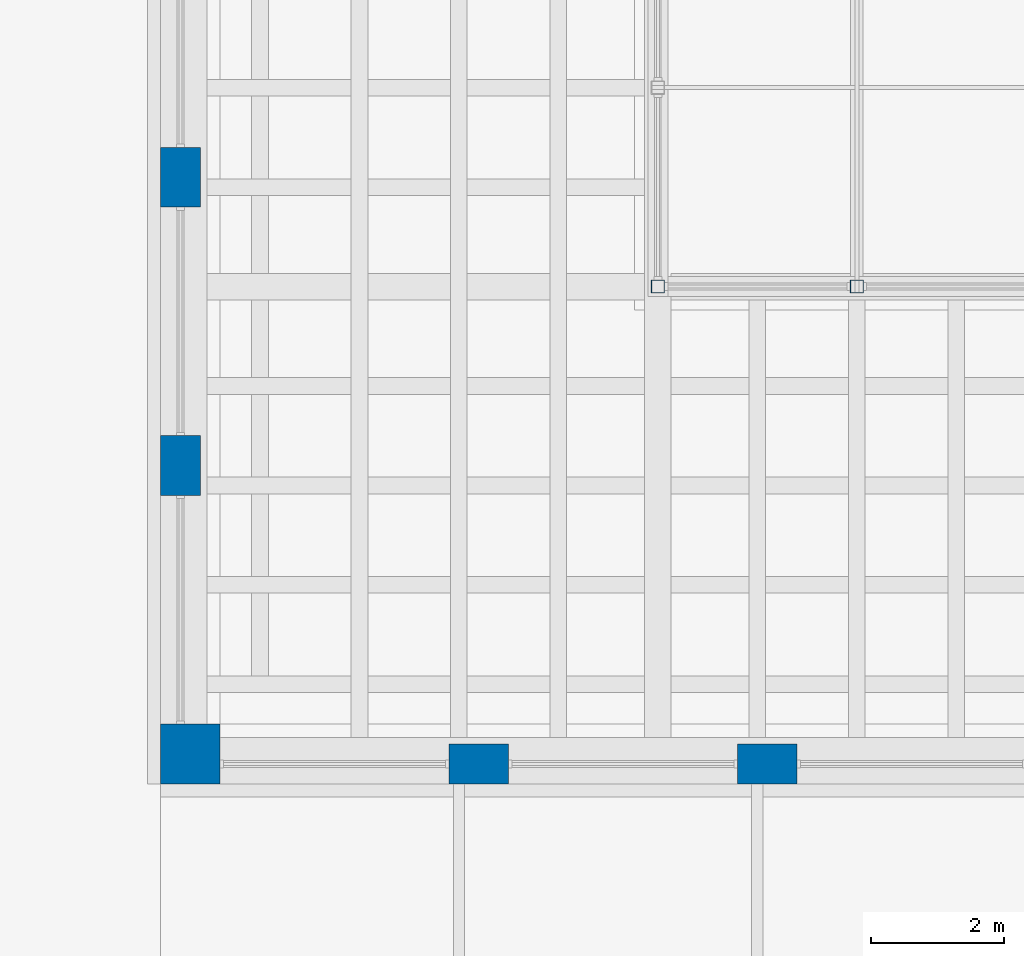
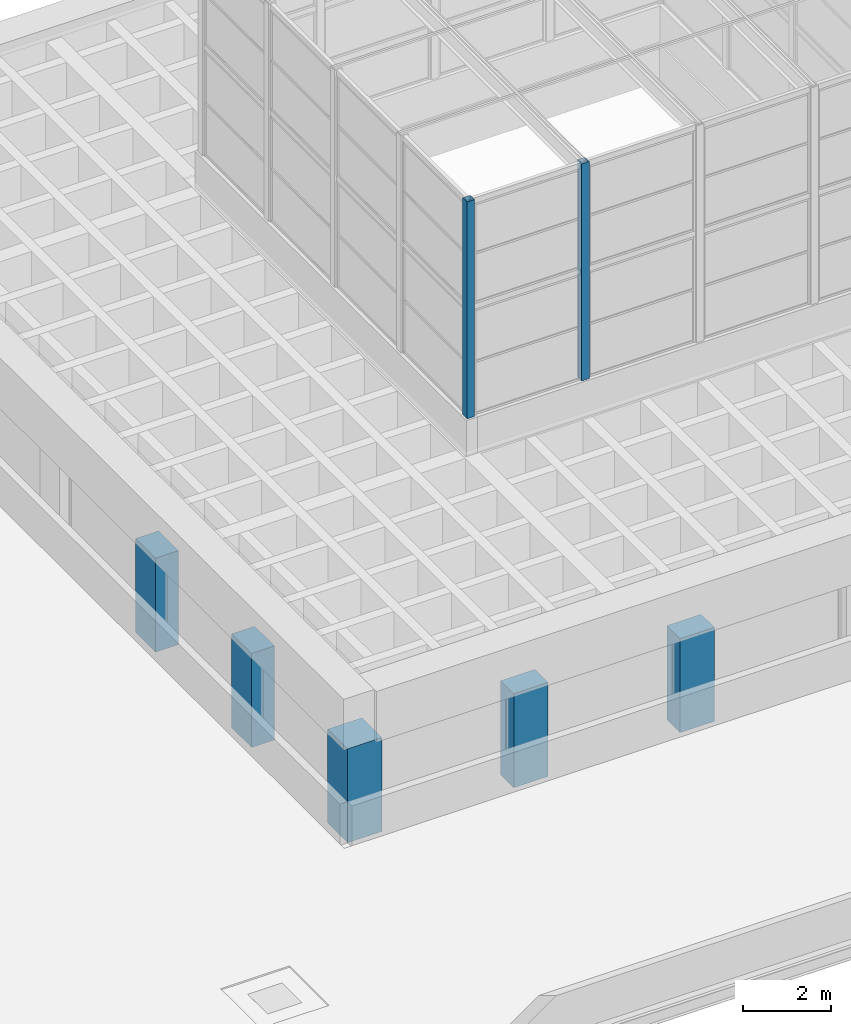
# One storey, part 1 of 50: 7 columns.
"""IFC4 building model written with IfcOpenShell, lengths in metres."""

from ifc_helpers import new_model, si_unit, direction, frame, origin, origin_2d, place, context, subcontext, project, spatial, rectangle, hollow_rectangle, extrude, material, material_profile, profile_set, type_object, element, save


model = new_model("IFC4")

# Units and contexts
model_context = context("Model", 3, precision=1e-05, world=origin(), true_north=direction((0.0, 1.0)))
body_context = subcontext(model_context, "Body", "Model", "MODEL_VIEW")
ifc_project = project(units=[si_unit("LENGTHUNIT", "METRE"), si_unit("AREAUNIT", "SQUARE_METRE"), si_unit("VOLUMEUNIT", "CUBIC_METRE"), si_unit("PLANEANGLEUNIT", "RADIAN"), si_unit("MASSUNIT", "GRAM", prefix="KILO")], contexts=[model_context])

# Site, building, storey
site_placement = place(None, origin())
site = spatial("IfcSite", under=ifc_project, at=site_placement, CompositionType="ELEMENT")
building_placement = place(site_placement, origin())
building = spatial("IfcBuilding", under=site, at=building_placement, Name="Corbel Yard City Hall", CompositionType="ELEMENT")
storey_placement = place(building_placement, frame((0.0, 0.0, 15.0)))
storey = spatial("IfcBuildingStorey", under=building, at=storey_placement, Name="L03", CompositionType="ELEMENT", Elevation=15.0)

# Columns
ifc_material_1 = material(Name="Concrete N50 (50 MPa)", Category="concrete")
ifc_material_profile_1 = material_profile(ifc_material_1, rectangle(XDim=0.89990234375, YDim=0.89990234375, at=origin_2d()), Name="900x900")
ifc_profile_set_1 = profile_set([ifc_material_profile_1], Name="Concrete N50 (50 MPa)")
column_type_1 = type_object("IfcColumnType", Name="Drum corner pier RC 900X900", PredefinedType="COLUMN", material=ifc_profile_set_1)
column_placement = place(storey_placement, frame((117.449951171875, 54.449951171875, 0.0), z_axis=(0.0, 0.0, 1.0), x_axis=(1.0, 0.0, 0.0)))
element("IfcColumn", 1, at=column_placement, inside=storey, type_object=column_type_1, Name="Chamber drum pier RC 900X900 DP1", PredefinedType="COLUMN", context=body_context, shape_type="SweptSolid", body=[
    extrude(rectangle(XDim=0.89990234375, YDim=0.89990234375, at=origin_2d()), origin(), (0.0, 0.0, 1.0), 2.60009765625),
])
ifc_material_profile_2 = material_profile(ifc_material_1, rectangle(XDim=0.60009765625, YDim=0.89990234375, at=origin_2d()), Name="600x900")
ifc_profile_set_2 = profile_set([ifc_material_profile_2], Name="Concrete N50 (50 MPa)")
column_type_2 = type_object("IfcColumnType", Name="Drum pier RC 600X900", PredefinedType="COLUMN", material=ifc_profile_set_2)
for number, where, z_axis, x_axis, name in (
    (2, (121.800048828125, 54.300048828125, 0.0), (0.0, 0.0, 1.0), (0.0, 1.0, 0.0), "Chamber drum pier RC 600X900 DP2"),
    (3, (126.14990234375, 54.300048828125, 0.0), (0.0, 0.0, 1.0), (0.0, 1.0, 0.0), "Chamber drum pier RC 600X900 DP2"),
    (4, (117.300048828125, 58.800048828125, 0.0), (0.0, 0.0, 1.0), (1.0, 0.0, 0.0), "Chamber drum pier RC 600X900 DP2"),
    (5, (117.300048828125, 63.14990234375, 0.0), (0.0, 0.0, 1.0), (1.0, 0.0, 0.0), "Chamber drum pier RC 600X900 DP2"),
):
    element("IfcColumn", number, at=place(storey_placement, frame(where, z_axis=z_axis, x_axis=x_axis)), inside=storey, type_object=column_type_2, Name=name, PredefinedType="COLUMN", context=body_context, shape_type="SweptSolid", body=[
        extrude(rectangle(XDim=0.60009765625, YDim=0.89990234375, at=origin_2d()), origin(), (0.0, 0.0, 1.0), 2.60009765625),
    ])
ifc_material_2 = material(Name="Steel Grade C450L0", Category="steel")
ifc_material_profile_3 = material_profile(ifc_material_2, hollow_rectangle(XDim=0.199951171875, YDim=0.199951171875, WallThickness=0.009033203125, at=origin_2d()), Name="200x200x9.0SHS")
ifc_profile_set_3 = profile_set([ifc_material_profile_3], Name="Steel Grade C450L0")
column_type_3 = type_object("IfcColumnType", Name="Lantern column 200x200x9.0SHS", PredefinedType="COLUMN", material=ifc_profile_set_3)
for number, where, z_axis, x_axis, name in (
    (6, (124.5, 61.5, 4.64990234375), (0.0, 0.0, 1.0), (1.0, 0.0, 0.0), "Lantern column 200x200x9.0SHS SC9"),
    (7, (127.5, 61.5, 4.64990234375), (0.0, 0.0, 1.0), (1.0, 0.0, 0.0), "Lantern column 200x200x9.0SHS SC9"),
):
    element("IfcColumn", number, at=place(storey_placement, frame(where, z_axis=z_axis, x_axis=x_axis)), inside=storey, type_object=column_type_3, Name=name, PredefinedType="COLUMN", context=body_context, shape_type="SweptSolid", body=[
        extrude(hollow_rectangle(XDim=0.199951171875, YDim=0.199951171875, WallThickness=0.009033203125, at=origin_2d()), origin(), (0.0, 0.0, 1.0), 6.0),
    ])

save(model, "model.ifc")
